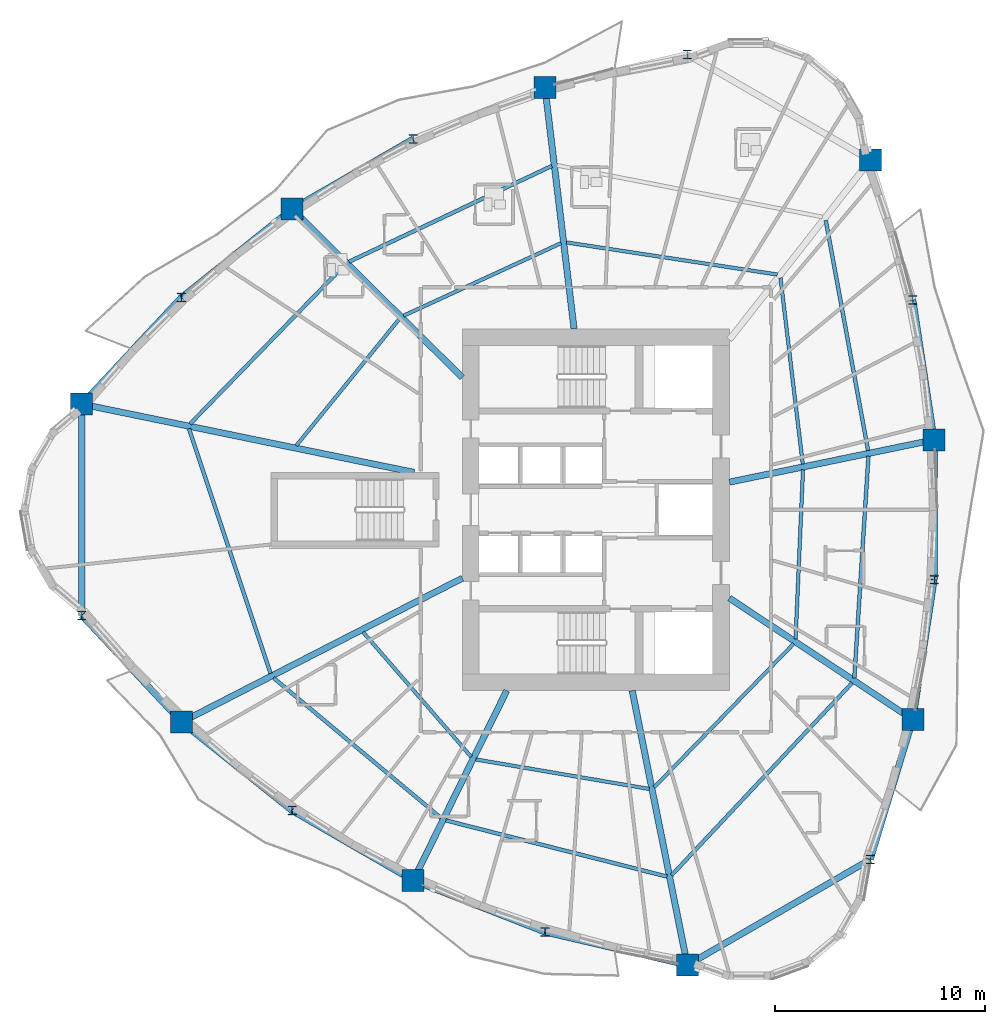
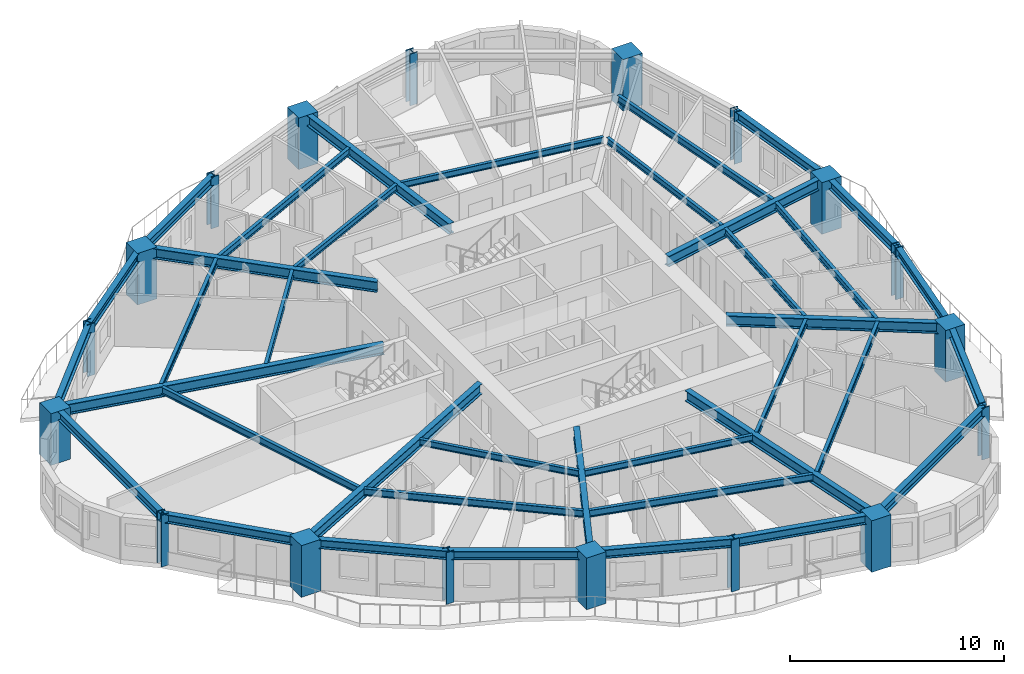
# One storey, part 1 of 14: 38 beams, 18 columns.
"""IFC4 building model written with IfcOpenShell, lengths in metres."""

from ifc_helpers import new_model, si_unit, direction, frame, origin, origin_2d, place, context, subcontext, project, spatial, rectangle, i_section, extrude, source, transform, mapped, material, material_profile, profile_set, type_object, element, save


model = new_model("IFC4")

# Units and contexts
model_context = context("Model", 3, precision=1e-05, world=origin(), true_north=direction((0.0, 1.0)))
body_context = subcontext(model_context, "Body", "Model", "MODEL_VIEW")
ifc_project = project(units=[si_unit("LENGTHUNIT", "METRE"), si_unit("AREAUNIT", "SQUARE_METRE"), si_unit("VOLUMEUNIT", "CUBIC_METRE"), si_unit("PLANEANGLEUNIT", "RADIAN"), si_unit("MASSUNIT", "GRAM", prefix="KILO")], contexts=[model_context])

# Site, building, storey
site_placement = place(None, origin())
site = spatial("IfcSite", under=ifc_project, at=site_placement, CompositionType="ELEMENT")
building_placement = place(site_placement, origin())
building = spatial("IfcBuilding", under=site, at=building_placement, Name="Qafzar Sky-Pleat Residences", CompositionType="ELEMENT")
storey_placement = place(building_placement, frame((0.0, 0.0, 11.0)))
storey = spatial("IfcBuildingStorey", under=building, at=storey_placement, Name="L02", CompositionType="ELEMENT", Elevation=11.0)

# Columns
ifc_material_1 = material(Name="Concrete C60/75", Category="concrete")
ifc_material_profile_1 = material_profile(ifc_material_1, rectangle(XDim=1.050048828125, YDim=1.050048828125, at=origin_2d()), Name="RC 1050x1050")
ifc_profile_set_1 = profile_set([ifc_material_profile_1], Name="Concrete C60/75")
column_type_1 = type_object("IfcColumnType", Name="COL-RC-1050", PredefinedType="COLUMN", material=ifc_profile_set_1)
shared_shape_1 = source(origin(), body_context, "Body", "SweptSolid", [
    extrude(rectangle(XDim=1.050048828125, YDim=1.050048828125, at=origin_2d()), origin(), (0.0, 0.0, 1.0), 2.93994140625),
])
for number, where, z_axis, x_axis, name in (
    (1, (5.89990234375, 31.02294921875, 0.0), (0.0, 0.0, 1.0), (1.0, 0.0, 0.0), "L02 Perimeter Mega Column 1"),
    (2, (10.64892578125, 15.900390625, 0.0), (0.0, 0.0, 1.0), (1.0, 0.0, 0.0), "L02 Perimeter Mega Column 3"),
    (3, (21.66357421875, 8.373779296875, 0.0), (0.0, 0.0, 1.0), (1.0, 0.0, 0.0), "L02 Perimeter Mega Column 5"),
    (4, (34.699951171875, 4.349365234375, 0.0), (0.0, 0.0, 1.0), (1.0, 0.0, 0.0), "L02 Perimeter Mega Column 7"),
    (5, (45.421875, 16.0234375, 0.0), (0.0, 0.0, 1.0), (1.0, 0.0, 0.0), "L02 Perimeter Mega Column 9"),
    (6, (46.432861328125, 29.325439453125, 0.0), (0.0, 0.0, 1.0), (1.0, 0.0, 0.0), "L02 Perimeter Mega Column 11"),
    (7, (43.39990234375, 42.627685546875, 0.0), (0.0, 0.0, 1.0), (1.0, 0.0, 0.0), "L02 Perimeter Mega Column 13"),
    (8, (27.928955078125, 46.076171875, 0.0), (0.0, 0.0, 1.0), (1.0, 0.0, 0.0), "L02 Perimeter Mega Column 15"),
    (9, (15.903564453125, 40.300537109375, 0.0), (0.0, 0.0, 1.0), (1.0, 0.0, 0.0), "L02 Perimeter Mega Column 17"),
):
    element("IfcColumn", number, at=place(storey_placement, frame(where, z_axis=z_axis, x_axis=x_axis)), inside=storey, type_object=column_type_1, Name=name, PredefinedType="COLUMN", context=body_context, shape_type="MappedRepresentation", body=[
        mapped(shared_shape_1, transform((0.0, 0.0, 0.0), x_axis=(1.0, 0.0, 0.0), y_axis=(0.0, 1.0, 0.0), z_axis=(0.0, 0.0, 1.0), scale=1.0)),
    ])
ifc_material_2 = material(Name="Steel S460", Category="steel")
ifc_material_profile_2 = material_profile(ifc_material_2, i_section(OverallWidth=0.408935546875, OverallDepth=0.425048828125, WebThickness=0.030029296875, FlangeThickness=0.048095703125, FilletRadius=0.014892578125, at=origin_2d()), Name="HD 400x421")
ifc_profile_set_2 = profile_set([ifc_material_profile_2], Name="Steel S460")
column_type_2 = type_object("IfcColumnType", Name="COL-STL-HD421", PredefinedType="PILASTER", material=ifc_profile_set_2)
shared_shape_2 = source(origin(), body_context, "Body", "SweptSolid", [
    extrude(i_section(OverallWidth=0.408935546875, OverallDepth=0.425048828125, WebThickness=0.030029296875, FlangeThickness=0.048095703125, FilletRadius=0.014892578125, at=origin_2d()), origin(), (0.0, 0.0, 1.0), 2.93994140625),
])
for number, where, z_axis, x_axis, name in (
    (10, (5.89990234375, 20.97705078125, 0.0), (0.0, 0.0, 1.0), (1.0, 0.0, 0.0), "L02 Perimeter Mega Column 2"),
    (11, (15.903564453125, 11.699462890625, 0.0), (0.0, 0.0, 1.0), (1.0, 0.0, 0.0), "L02 Perimeter Mega Column 4"),
    (12, (27.928955078125, 5.923828125, 0.0), (0.0, 0.0, 1.0), (1.0, 0.0, 0.0), "L02 Perimeter Mega Column 6"),
    (13, (43.39990234375, 9.372314453125, 0.0), (0.0, 0.0, 1.0), (1.0, 0.0, 0.0), "L02 Perimeter Mega Column 8"),
    (14, (46.432861328125, 22.674560546875, 0.0), (0.0, 0.0, 1.0), (1.0, 0.0, 0.0), "L02 Perimeter Mega Column 10"),
    (15, (45.421875, 35.9765625, 0.0), (0.0, 0.0, 1.0), (1.0, 0.0, 0.0), "L02 Perimeter Mega Column 12"),
    (16, (34.699951171875, 47.650634765625, 0.0), (0.0, 0.0, 1.0), (1.0, 0.0, 0.0), "L02 Perimeter Mega Column 14"),
    (17, (21.66357421875, 43.626220703125, 0.0), (0.0, 0.0, 1.0), (1.0, 0.0, 0.0), "L02 Perimeter Mega Column 16"),
    (18, (10.64892578125, 36.099609375, 0.0), (0.0, 0.0, 1.0), (1.0, 0.0, 0.0), "L02 Perimeter Mega Column 18"),
):
    element("IfcColumn", number, at=place(storey_placement, frame(where, z_axis=z_axis, x_axis=x_axis)), inside=storey, type_object=column_type_2, Name=name, PredefinedType="PILASTER", context=body_context, shape_type="MappedRepresentation", body=[
        mapped(shared_shape_2, transform((0.0, 0.0, 0.0), x_axis=(1.0, 0.0, 0.0), y_axis=(0.0, 1.0, 0.0), z_axis=(0.0, 0.0, 1.0), scale=1.0)),
    ])

# Beams
ifc_material_3 = material(Name="Steel S355", Category="steel")
ifc_material_profile_3 = material_profile(ifc_material_3, i_section(OverallWidth=0.300048828125, OverallDepth=0.5, WebThickness=0.014404296875, FlangeThickness=0.028076171875, FilletRadius=0.027099609375, at=origin_2d()), Name="HEB 500")
ifc_profile_set_3 = profile_set([ifc_material_profile_3], Name="Steel S355")
beam_type_1 = type_object("IfcBeamType", Name="BM-SPAN-HEB500", PredefinedType="SPANDREL", material=ifc_profile_set_3)
shared_shape_3 = source(origin(), body_context, "Body", "SweptSolid", [
    extrude(i_section(OverallWidth=0.300048828125, OverallDepth=0.5, WebThickness=0.014404296875, FlangeThickness=0.028076171875, FilletRadius=0.027099609375, at=origin_2d()), origin(), (0.0, 0.0, 1.0), 10.0458984375),
])
for number, where, z_axis, x_axis, name in (
    (19, (5.89990234375, 31.02294921875, 2.68798828125), (0.0, -1.0, 0.0), (1.0, 0.0, 0.0), "L02 Perimeter Spandrel Beam 1"),
    (20, (34.699951171875, 4.349365234375, 2.68798828125), (0.866024107753, 0.500002244785, 0.0), (-0.500002244785, 0.866024107753, 0.0), "L02 Perimeter Spandrel Beam 7"),
):
    element("IfcBeam", number, at=place(storey_placement, frame(where, z_axis=z_axis, x_axis=x_axis)), inside=storey, type_object=beam_type_1, Name=name, PredefinedType="SPANDREL", context=body_context, shape_type="MappedRepresentation", body=[
        mapped(shared_shape_3, transform((0.0, 0.0, 0.0), x_axis=(1.0, 0.0, 0.0), y_axis=(0.0, 1.0, 0.0), z_axis=(0.0, 0.0, 1.0), scale=1.0)),
    ])
shared_shape_4 = source(origin(), body_context, "Body", "SweptSolid", [
    extrude(i_section(OverallWidth=0.300048828125, OverallDepth=0.5, WebThickness=0.014404296875, FlangeThickness=0.028076171875, FilletRadius=0.027099609375, at=origin_2d()), origin(), (0.0, 0.0, 1.0), 6.95166015625),
])
for number, where, z_axis, x_axis, name in (
    (21, (5.89990234375, 20.97705078125, 2.68798828125), (0.683148670375, -0.730279326125, 0.0), (0.730279326125, 0.683148670375, 0.0), "L02 Perimeter Spandrel Beam 2"),
    (22, (27.928955078125, 5.923828125, 2.68798828125), (0.974013973113, -0.226487925024, 0.0), (0.226487925024, 0.974013973113, 0.0), "L02 Perimeter Spandrel Beam 6"),
    (23, (43.39990234375, 9.372314453125, 2.68798828125), (0.290861139852, 0.956765278072, 0.0), (-0.956765278072, 0.290861139852, 0.0), "L02 Perimeter Spandrel Beam 8"),
    (24, (10.64892578125, 36.099609375, 2.68798828125), (-0.683148670375, -0.730279326125, 0.0), (0.730279326125, -0.683148670375, 0.0), "L02 Perimeter Spandrel Beam 18"),
):
    element("IfcBeam", number, at=place(storey_placement, frame(where, z_axis=z_axis, x_axis=x_axis)), inside=storey, type_object=beam_type_1, Name=name, PredefinedType="SPANDREL", context=body_context, shape_type="MappedRepresentation", body=[
        mapped(shared_shape_4, transform((0.0, 0.0, 0.0), x_axis=(1.0, 0.0, 0.0), y_axis=(0.0, 1.0, 0.0), z_axis=(0.0, 0.0, 1.0), scale=1.0)),
    ])
shared_shape_5 = source(origin(), body_context, "Body", "SweptSolid", [
    extrude(i_section(OverallWidth=0.300048828125, OverallDepth=0.5, WebThickness=0.014404296875, FlangeThickness=0.028076171875, FilletRadius=0.027099609375, at=origin_2d()), origin(), (0.0, 0.0, 1.0), 6.7275390625),
])
for number, where, z_axis, x_axis, name in (
    (25, (10.64892578125, 15.900390625, 2.68798828125), (0.781070576736, -0.624442754908, 0.0), (0.624442754908, 0.781070576736, 0.0), "L02 Perimeter Spandrel Beam 3"),
    (26, (45.421875, 16.0234375, 2.68798828125), (0.150276218199, 0.988644050325, 0.0), (-0.988644050325, 0.150276218199, 0.0), "L02 Perimeter Spandrel Beam 9"),
    (27, (46.432861328125, 29.325439453125, 2.68798828125), (-0.150276218199, 0.988644050325, 0.0), (-0.988644050325, -0.150276218199, 0.0), "L02 Perimeter Spandrel Beam 11"),
    (28, (15.903564453125, 40.300537109375, 2.68798828125), (-0.781070576736, -0.624442754908, 0.0), (0.624442754908, -0.781070576736, 0.0), "L02 Perimeter Spandrel Beam 17"),
):
    element("IfcBeam", number, at=place(storey_placement, frame(where, z_axis=z_axis, x_axis=x_axis)), inside=storey, type_object=beam_type_1, Name=name, PredefinedType="SPANDREL", context=body_context, shape_type="MappedRepresentation", body=[
        mapped(shared_shape_5, transform((0.0, 0.0, 0.0), x_axis=(1.0, 0.0, 0.0), y_axis=(0.0, 1.0, 0.0), z_axis=(0.0, 0.0, 1.0), scale=1.0)),
    ])
shared_shape_6 = source(origin(), body_context, "Body", "SweptSolid", [
    extrude(i_section(OverallWidth=0.300048828125, OverallDepth=0.5, WebThickness=0.014404296875, FlangeThickness=0.028076171875, FilletRadius=0.027099609375, at=origin_2d()), origin(), (0.0, 0.0, 1.0), 6.651123046875),
])
for number, where, z_axis, x_axis, name in (
    (29, (15.903564453125, 11.699462890625, 2.68798828125), (0.866016262799, -0.500015832317, 0.0), (0.500015832317, 0.866016262799, 0.0), "L02 Perimeter Spandrel Beam 4"),
    (30, (21.66357421875, 43.626220703125, 2.68798828125), (-0.866016262799, -0.500015832317, 0.0), (0.500015832317, -0.866016262799, 0.0), "L02 Perimeter Spandrel Beam 16"),
):
    element("IfcBeam", number, at=place(storey_placement, frame(where, z_axis=z_axis, x_axis=x_axis)), inside=storey, type_object=beam_type_1, Name=name, PredefinedType="SPANDREL", context=body_context, shape_type="MappedRepresentation", body=[
        mapped(shared_shape_6, transform((0.0, 0.0, 0.0), x_axis=(1.0, 0.0, 0.0), y_axis=(0.0, 1.0, 0.0), z_axis=(0.0, 0.0, 1.0), scale=1.0)),
    ])
shared_shape_7 = source(origin(), body_context, "Body", "SweptSolid", [
    extrude(i_section(OverallWidth=0.300048828125, OverallDepth=0.5, WebThickness=0.014404296875, FlangeThickness=0.028076171875, FilletRadius=0.027099609375, at=origin_2d()), origin(), (0.0, 0.0, 1.0), 6.727294921875),
])
beam_1_placement = place(storey_placement, frame((21.66357421875, 8.373779296875, 2.68798828125), z_axis=(0.931329494162, -0.364177667222, 0.0), x_axis=(0.364177667222, 0.931329494162, 0.0)))
element("IfcBeam", 31, at=beam_1_placement, inside=storey, type_object=beam_type_1, Name="L02 Perimeter Spandrel Beam 5", PredefinedType="SPANDREL", context=body_context, shape_type="MappedRepresentation", body=[
    mapped(shared_shape_7, transform((0.0, 0.0, 0.0), x_axis=(1.0, 0.0, 0.0), y_axis=(0.0, 1.0, 0.0), z_axis=(0.0, 0.0, 1.0), scale=1.0)),
])
shared_shape_8 = source(origin(), body_context, "Body", "SweptSolid", [
    extrude(i_section(OverallWidth=0.300048828125, OverallDepth=0.5, WebThickness=0.014404296875, FlangeThickness=0.028076171875, FilletRadius=0.027099609375, at=origin_2d()), origin(), (0.0, 0.0, 1.0), 6.65087890625),
])
beam_2_placement = place(storey_placement, frame((46.432861328125, 22.674560546875, 2.68798828125), z_axis=(0.0, 1.0, 0.0), x_axis=(-1.0, 0.0, 0.0)))
element("IfcBeam", 32, at=beam_2_placement, inside=storey, type_object=beam_type_1, Name="L02 Perimeter Spandrel Beam 10", PredefinedType="SPANDREL", context=body_context, shape_type="MappedRepresentation", body=[
    mapped(shared_shape_8, transform((0.0, 0.0, 0.0), x_axis=(1.0, 0.0, 0.0), y_axis=(0.0, 1.0, 0.0), z_axis=(0.0, 0.0, 1.0), scale=1.0)),
])
ifc_material_profile_4 = material_profile(ifc_material_3, i_section(OverallWidth=0.300048828125, OverallDepth=0.60009765625, WebThickness=0.015380859375, FlangeThickness=0.030029296875, FilletRadius=0.027099609375, at=origin_2d()), Name="HEB 600")
ifc_profile_set_4 = profile_set([ifc_material_profile_4], Name="Steel S355")
beam_type_2 = type_object("IfcBeamType", Name="BM-GIRD-HEB600", PredefinedType="BEAM", material=ifc_profile_set_4)
shared_shape_9 = source(origin(), body_context, "Body", "SweptSolid", [
    extrude(i_section(OverallWidth=0.300048828125, OverallDepth=0.60009765625, WebThickness=0.015380859375, FlangeThickness=0.030029296875, FilletRadius=0.027099609375, at=origin_2d()), origin(), (0.0, 0.0, 1.0), 16.139892578125),
])
beam_3_placement = place(storey_placement, frame((5.89990234375, 31.02294921875, 2.637939453125), z_axis=(0.9795415771, -0.201241891097, 0.0), x_axis=(0.201241891097, 0.9795415771, 0.0)))
element("IfcBeam", 33, at=beam_3_placement, inside=storey, type_object=beam_type_2, Name="L02 Radial Floor Girder 1", PredefinedType="BEAM", context=body_context, shape_type="MappedRepresentation", body=[
    mapped(shared_shape_9, transform((0.0, 0.0, 0.0), x_axis=(1.0, 0.0, 0.0), y_axis=(0.0, 1.0, 0.0), z_axis=(0.0, 0.0, 1.0), scale=1.0)),
])
shared_shape_10 = source(origin(), body_context, "Body", "SweptSolid", [
    extrude(i_section(OverallWidth=0.300048828125, OverallDepth=0.60009765625, WebThickness=0.015380859375, FlangeThickness=0.030029296875, FilletRadius=0.027099609375, at=origin_2d()), origin(), (0.0, 0.0, 1.0), 15.003173828125),
])
beam_4_placement = place(storey_placement, frame((10.64892578125, 15.900390625, 2.637939453125), z_axis=(0.889884204049, 0.456186478739, 0.0), x_axis=(-0.456186478739, 0.889884204049, 0.0)))
element("IfcBeam", 34, at=beam_4_placement, inside=storey, type_object=beam_type_2, Name="L02 Radial Floor Girder 3", PredefinedType="BEAM", context=body_context, shape_type="MappedRepresentation", body=[
    mapped(shared_shape_10, transform((0.0, 0.0, 0.0), x_axis=(1.0, 0.0, 0.0), y_axis=(0.0, 1.0, 0.0), z_axis=(0.0, 0.0, 1.0), scale=1.0)),
])
shared_shape_11 = source(origin(), body_context, "Body", "SweptSolid", [
    extrude(i_section(OverallWidth=0.300048828125, OverallDepth=0.60009765625, WebThickness=0.015380859375, FlangeThickness=0.030029296875, FilletRadius=0.027099609375, at=origin_2d()), origin(), (0.0, 0.0, 1.0), 10.062744140625),
])
beam_5_placement = place(storey_placement, frame((21.66357421875, 8.373779296875, 2.637939453125), z_axis=(0.442052932292, 0.896988965959, 0.0), x_axis=(-0.896988965959, 0.442052932292, 0.0)))
element("IfcBeam", 35, at=beam_5_placement, inside=storey, type_object=beam_type_2, Name="L02 Radial Floor Girder 5", PredefinedType="BEAM", context=body_context, shape_type="MappedRepresentation", body=[
    mapped(shared_shape_11, transform((0.0, 0.0, 0.0), x_axis=(1.0, 0.0, 0.0), y_axis=(0.0, 1.0, 0.0), z_axis=(0.0, 0.0, 1.0), scale=1.0)),
])
shared_shape_12 = source(origin(), body_context, "Body", "SweptSolid", [
    extrude(i_section(OverallWidth=0.300048828125, OverallDepth=0.60009765625, WebThickness=0.015380859375, FlangeThickness=0.030029296875, FilletRadius=0.027099609375, at=origin_2d()), origin(), (0.0, 0.0, 1.0), 13.311279296875),
])
beam_6_placement = place(storey_placement, frame((34.699951171875, 4.349365234375, 2.637939453125), z_axis=(-0.196980192836, 0.980407468163, 0.0), x_axis=(-0.980407468163, -0.196980192836, 0.0)))
element("IfcBeam", 36, at=beam_6_placement, inside=storey, type_object=beam_type_2, Name="L02 Radial Floor Girder 7", PredefinedType="BEAM", context=body_context, shape_type="MappedRepresentation", body=[
    mapped(shared_shape_12, transform((0.0, 0.0, 0.0), x_axis=(1.0, 0.0, 0.0), y_axis=(0.0, 1.0, 0.0), z_axis=(0.0, 0.0, 1.0), scale=1.0)),
])
shared_shape_13 = source(origin(), body_context, "Body", "SweptSolid", [
    extrude(i_section(OverallWidth=0.300048828125, OverallDepth=0.60009765625, WebThickness=0.015380859375, FlangeThickness=0.030029296875, FilletRadius=0.027099609375, at=origin_2d()), origin(), (0.0, 0.0, 1.0), 10.45947265625),
])
beam_7_placement = place(storey_placement, frame((45.421875, 16.0234375, 2.637939453125), z_axis=(-0.833873592866, 0.551955461175, 0.0), x_axis=(-0.551955461175, -0.833873592866, 0.0)))
element("IfcBeam", 37, at=beam_7_placement, inside=storey, type_object=beam_type_2, Name="L02 Radial Floor Girder 9", PredefinedType="BEAM", context=body_context, shape_type="MappedRepresentation", body=[
    mapped(shared_shape_13, transform((0.0, 0.0, 0.0), x_axis=(1.0, 0.0, 0.0), y_axis=(0.0, 1.0, 0.0), z_axis=(0.0, 0.0, 1.0), scale=1.0)),
])
shared_shape_14 = source(origin(), body_context, "Body", "SweptSolid", [
    extrude(i_section(OverallWidth=0.300048828125, OverallDepth=0.60009765625, WebThickness=0.015380859375, FlangeThickness=0.030029296875, FilletRadius=0.027099609375, at=origin_2d()), origin(), (0.0, 0.0, 1.0), 9.938720703125),
])
beam_8_placement = place(storey_placement, frame((46.432861328125, 29.325439453125, 2.637939453125), z_axis=(-0.979285452618, -0.202484572968, 0.0), x_axis=(0.202484572968, -0.979285452618, 0.0)))
element("IfcBeam", 38, at=beam_8_placement, inside=storey, type_object=beam_type_2, Name="L02 Radial Floor Girder 11", PredefinedType="BEAM", context=body_context, shape_type="MappedRepresentation", body=[
    mapped(shared_shape_14, transform((0.0, 0.0, 0.0), x_axis=(1.0, 0.0, 0.0), y_axis=(0.0, 1.0, 0.0), z_axis=(0.0, 0.0, 1.0), scale=1.0)),
])
shared_shape_15 = source(origin(), body_context, "Body", "SweptSolid", [
    extrude(i_section(OverallWidth=0.300048828125, OverallDepth=0.60009765625, WebThickness=0.015380859375, FlangeThickness=0.030029296875, FilletRadius=0.027099609375, at=origin_2d()), origin(), (0.0, 0.0, 1.0), 11.559326171875),
])
beam_9_placement = place(storey_placement, frame((27.928955078125, 46.076171875, 2.637939453125), z_axis=(0.119734017919, -0.992806005699, 0.0), x_axis=(0.992806005699, 0.119734017919, 0.0)))
element("IfcBeam", 39, at=beam_9_placement, inside=storey, type_object=beam_type_2, Name="L02 Radial Floor Girder 15", PredefinedType="BEAM", context=body_context, shape_type="MappedRepresentation", body=[
    mapped(shared_shape_15, transform((0.0, 0.0, 0.0), x_axis=(1.0, 0.0, 0.0), y_axis=(0.0, 1.0, 0.0), z_axis=(0.0, 0.0, 1.0), scale=1.0)),
])
shared_shape_16 = source(origin(), body_context, "Body", "SweptSolid", [
    extrude(i_section(OverallWidth=0.300048828125, OverallDepth=0.60009765625, WebThickness=0.015380859375, FlangeThickness=0.030029296875, FilletRadius=0.027099609375, at=origin_2d()), origin(), (0.0, 0.0, 1.0), 11.392333984375),
])
beam_10_placement = place(storey_placement, frame((15.903564453125, 40.300537109375, 2.637939453125), z_axis=(0.71068721601, -0.703508124331, 0.0), x_axis=(0.703508124331, 0.71068721601, 0.0)))
element("IfcBeam", 40, at=beam_10_placement, inside=storey, type_object=beam_type_2, Name="L02 Radial Floor Girder 17", PredefinedType="BEAM", context=body_context, shape_type="MappedRepresentation", body=[
    mapped(shared_shape_16, transform((0.0, 0.0, 0.0), x_axis=(1.0, 0.0, 0.0), y_axis=(0.0, 1.0, 0.0), z_axis=(0.0, 0.0, 1.0), scale=1.0)),
])
ifc_material_profile_5 = material_profile(ifc_material_3, i_section(OverallWidth=0.179931640625, OverallDepth=0.39990234375, WebThickness=0.008544921875, FlangeThickness=0.013427734375, FilletRadius=0.02099609375, at=origin_2d()), Name="IPE 400")
ifc_profile_set_5 = profile_set([ifc_material_profile_5], Name="Steel S355")
beam_type_3 = type_object("IfcBeamType", Name="BM-JST-IPE400", PredefinedType="JOIST", material=ifc_profile_set_5)
shared_shape_17 = source(origin(), body_context, "Body", "SweptSolid", [
    extrude(i_section(OverallWidth=0.179931640625, OverallDepth=0.39990234375, WebThickness=0.008544921875, FlangeThickness=0.013427734375, FilletRadius=0.02099609375, at=origin_2d()), origin(), (0.0, 0.0, 1.0), 12.265625),
])
beam_11_placement = place(storey_placement, frame((11.001708984375, 29.85546875, 2.738037109375), z_axis=(0.31608444956, -0.948731058175, 0.0), x_axis=(0.948731058175, 0.31608444956, 0.0)))
element("IfcBeam", 41, at=beam_11_placement, inside=storey, type_object=beam_type_3, Name="L02 Outer Secondary Floor Joist 1", PredefinedType="JOIST", context=body_context, shape_type="MappedRepresentation", body=[
    mapped(shared_shape_17, transform((0.0, 0.0, 0.0), x_axis=(1.0, 0.0, 0.0), y_axis=(0.0, 1.0, 0.0), z_axis=(0.0, 0.0, 1.0), scale=1.0)),
])
shared_shape_18 = source(origin(), body_context, "Body", "SweptSolid", [
    extrude(i_section(OverallWidth=0.179931640625, OverallDepth=0.39990234375, WebThickness=0.008544921875, FlangeThickness=0.013427734375, FilletRadius=0.02099609375, at=origin_2d()), origin(), (0.0, 0.0, 1.0), 10.374267578125),
])
beam_12_placement = place(storey_placement, frame((15.02490234375, 18.00390625, 2.738037109375), z_axis=(0.767132246314, -0.641488984056, 0.0), x_axis=(0.641488984056, 0.767132246314, 0.0)))
element("IfcBeam", 42, at=beam_12_placement, inside=storey, type_object=beam_type_3, Name="L02 Outer Secondary Floor Joist 2", PredefinedType="JOIST", context=body_context, shape_type="MappedRepresentation", body=[
    mapped(shared_shape_18, transform((0.0, 0.0, 0.0), x_axis=(1.0, 0.0, 0.0), y_axis=(0.0, 1.0, 0.0), z_axis=(0.0, 0.0, 1.0), scale=1.0)),
])
shared_shape_19 = source(origin(), body_context, "Body", "SweptSolid", [
    extrude(i_section(OverallWidth=0.179931640625, OverallDepth=0.39990234375, WebThickness=0.008544921875, FlangeThickness=0.013427734375, FilletRadius=0.02099609375, at=origin_2d()), origin(), (0.0, 0.0, 1.0), 10.845703125),
])
beam_13_placement = place(storey_placement, frame((23.218017578125, 11.22900390625, 2.738037109375), z_axis=(0.969220624177, -0.246193788853, 0.0), x_axis=(0.246193788853, 0.969220624177, 0.0)))
element("IfcBeam", 43, at=beam_13_placement, inside=storey, type_object=beam_type_3, Name="L02 Outer Secondary Floor Joist 3", PredefinedType="JOIST", context=body_context, shape_type="MappedRepresentation", body=[
    mapped(shared_shape_19, transform((0.0, 0.0, 0.0), x_axis=(1.0, 0.0, 0.0), y_axis=(0.0, 1.0, 0.0), z_axis=(0.0, 0.0, 1.0), scale=1.0)),
])
shared_shape_20 = source(origin(), body_context, "Body", "SweptSolid", [
    extrude(i_section(OverallWidth=0.179931640625, OverallDepth=0.39990234375, WebThickness=0.008544921875, FlangeThickness=0.013427734375, FilletRadius=0.02099609375, at=origin_2d()), origin(), (0.0, 0.0, 1.0), 12.5458984375),
])
beam_14_placement = place(storey_placement, frame((33.953369140625, 8.6240234375, 2.738037109375), z_axis=(0.684303538681, 0.729197275742, 0.0), x_axis=(-0.729197275742, 0.684303538681, 0.0)))
element("IfcBeam", 44, at=beam_14_placement, inside=storey, type_object=beam_type_3, Name="L02 Outer Secondary Floor Joist 4", PredefinedType="JOIST", context=body_context, shape_type="MappedRepresentation", body=[
    mapped(shared_shape_20, transform((0.0, 0.0, 0.0), x_axis=(1.0, 0.0, 0.0), y_axis=(0.0, 1.0, 0.0), z_axis=(0.0, 0.0, 1.0), scale=1.0)),
])
shared_shape_21 = source(origin(), body_context, "Body", "SweptSolid", [
    extrude(i_section(OverallWidth=0.179931640625, OverallDepth=0.39990234375, WebThickness=0.008544921875, FlangeThickness=0.013427734375, FilletRadius=0.02099609375, at=origin_2d()), origin(), (0.0, 0.0, 1.0), 10.5625),
])
beam_15_placement = place(storey_placement, frame((42.639404296875, 18.005615234375, 2.738037109375), z_axis=(0.063470442406, 0.997983718775, 0.0), x_axis=(-0.997983718775, 0.063470442406, 0.0)))
element("IfcBeam", 45, at=beam_15_placement, inside=storey, type_object=beam_type_3, Name="L02 Outer Secondary Floor Joist 5", PredefinedType="JOIST", context=body_context, shape_type="MappedRepresentation", body=[
    mapped(shared_shape_21, transform((0.0, 0.0, 0.0), x_axis=(1.0, 0.0, 0.0), y_axis=(0.0, 1.0, 0.0), z_axis=(0.0, 0.0, 1.0), scale=1.0)),
])
shared_shape_22 = source(origin(), body_context, "Body", "SweptSolid", [
    extrude(i_section(OverallWidth=0.179931640625, OverallDepth=0.39990234375, WebThickness=0.008544921875, FlangeThickness=0.013427734375, FilletRadius=0.02099609375, at=origin_2d()), origin(), (0.0, 0.0, 1.0), 11.132568359375),
])
beam_16_placement = place(storey_placement, frame((43.2939453125, 28.814208984375, 2.738037109375), z_axis=(-0.180859333008, 0.98350897386, 0.0), x_axis=(-0.98350897386, -0.180859333008, 0.0)))
element("IfcBeam", 46, at=beam_16_placement, inside=storey, type_object=beam_type_3, Name="L02 Outer Secondary Floor Joist 6", PredefinedType="JOIST", context=body_context, shape_type="MappedRepresentation", body=[
    mapped(shared_shape_22, transform((0.0, 0.0, 0.0), x_axis=(1.0, 0.0, 0.0), y_axis=(0.0, 1.0, 0.0), z_axis=(0.0, 0.0, 1.0), scale=1.0)),
])
shared_shape_23 = source(origin(), body_context, "Body", "SweptSolid", [
    extrude(i_section(OverallWidth=0.179931640625, OverallDepth=0.39990234375, WebThickness=0.008544921875, FlangeThickness=0.013427734375, FilletRadius=0.02099609375, at=origin_2d()), origin(), (0.0, 0.0, 1.0), 10.65478515625),
])
beam_17_placement = place(storey_placement, frame((28.249755859375, 42.34619140625, 2.738037109375), z_axis=(-0.904124253409, -0.427269627282, 0.0), x_axis=(0.427269627282, -0.904124253409, 0.0)))
element("IfcBeam", 47, at=beam_17_placement, inside=storey, type_object=beam_type_3, Name="L02 Outer Secondary Floor Joist 8", PredefinedType="JOIST", context=body_context, shape_type="MappedRepresentation", body=[
    mapped(shared_shape_23, transform((0.0, 0.0, 0.0), x_axis=(1.0, 0.0, 0.0), y_axis=(0.0, 1.0, 0.0), z_axis=(0.0, 0.0, 1.0), scale=1.0)),
])
shared_shape_24 = source(origin(), body_context, "Body", "SweptSolid", [
    extrude(i_section(OverallWidth=0.179931640625, OverallDepth=0.39990234375, WebThickness=0.008544921875, FlangeThickness=0.013427734375, FilletRadius=0.02099609375, at=origin_2d()), origin(), (0.0, 0.0, 1.0), 10.541259765625),
])
beam_18_placement = place(storey_placement, frame((18.400390625, 37.63916015625, 2.738037109375), z_axis=(-0.696995374234, -0.717075622439, 0.0), x_axis=(0.717075622439, -0.696995374234, 0.0)))
element("IfcBeam", 48, at=beam_18_placement, inside=storey, type_object=beam_type_3, Name="L02 Outer Secondary Floor Joist 9", PredefinedType="JOIST", context=body_context, shape_type="MappedRepresentation", body=[
    mapped(shared_shape_24, transform((0.0, 0.0, 0.0), x_axis=(1.0, 0.0, 0.0), y_axis=(0.0, 1.0, 0.0), z_axis=(0.0, 0.0, 1.0), scale=1.0)),
])
ifc_material_profile_6 = material_profile(ifc_material_3, i_section(OverallWidth=0.169921875, OverallDepth=0.360107421875, WebThickness=0.008056640625, FlangeThickness=0.0126953125, FilletRadius=0.01806640625, at=origin_2d()), Name="IPE 360")
ifc_profile_set_6 = profile_set([ifc_material_profile_6], Name="Steel S355")
beam_type_4 = type_object("IfcBeamType", Name="BM-JST-IPE360", PredefinedType="JOIST", material=ifc_profile_set_6)
shared_shape_25 = source(origin(), body_context, "Body", "SweptSolid", [
    extrude(i_section(OverallWidth=0.169921875, OverallDepth=0.360107421875, WebThickness=0.008056640625, FlangeThickness=0.0126953125, FilletRadius=0.01806640625, at=origin_2d()), origin(), (0.0, 0.0, 1.0), 7.8447265625),
])
beam_19_placement = place(storey_placement, frame((19.281982421875, 20.1787109375, 2.758056640625), z_axis=(0.655239727484, -0.755421008132, 0.0), x_axis=(0.755421008132, 0.655239727484, 0.0)))
element("IfcBeam", 49, at=beam_19_placement, inside=storey, type_object=beam_type_4, Name="L02 Inner Secondary Floor Joist 2", PredefinedType="JOIST", context=body_context, shape_type="MappedRepresentation", body=[
    mapped(shared_shape_25, transform((0.0, 0.0, 0.0), x_axis=(1.0, 0.0, 0.0), y_axis=(0.0, 1.0, 0.0), z_axis=(0.0, 0.0, 1.0), scale=1.0)),
])
shared_shape_26 = source(origin(), body_context, "Body", "SweptSolid", [
    extrude(i_section(OverallWidth=0.169921875, OverallDepth=0.360107421875, WebThickness=0.008056640625, FlangeThickness=0.0126953125, FilletRadius=0.01806640625, at=origin_2d()), origin(), (0.0, 0.0, 1.0), 8.364013671875),
])
beam_20_placement = place(storey_placement, frame((24.6435546875, 14.1279296875, 2.758056640625), z_axis=(0.985819217753, -0.167810815825, 0.0), x_axis=(0.167810815825, 0.985819217753, 0.0)))
element("IfcBeam", 50, at=beam_20_placement, inside=storey, type_object=beam_type_4, Name="L02 Inner Secondary Floor Joist 3", PredefinedType="JOIST", context=body_context, shape_type="MappedRepresentation", body=[
    mapped(shared_shape_26, transform((0.0, 0.0, 0.0), x_axis=(1.0, 0.0, 0.0), y_axis=(0.0, 1.0, 0.0), z_axis=(0.0, 0.0, 1.0), scale=1.0)),
])
shared_shape_27 = source(origin(), body_context, "Body", "SweptSolid", [
    extrude(i_section(OverallWidth=0.169921875, OverallDepth=0.360107421875, WebThickness=0.008056640625, FlangeThickness=0.0126953125, FilletRadius=0.01806640625, at=origin_2d()), origin(), (0.0, 0.0, 1.0), 9.513671875),
])
beam_21_placement = place(storey_placement, frame((33.115966796875, 12.798583984375, 2.758056640625), z_axis=(0.696884511326, 0.717183364193, 0.0), x_axis=(-0.717183364193, 0.696884511326, 0.0)))
element("IfcBeam", 51, at=beam_21_placement, inside=storey, type_object=beam_type_4, Name="L02 Inner Secondary Floor Joist 4", PredefinedType="JOIST", context=body_context, shape_type="MappedRepresentation", body=[
    mapped(shared_shape_27, transform((0.0, 0.0, 0.0), x_axis=(1.0, 0.0, 0.0), y_axis=(0.0, 1.0, 0.0), z_axis=(0.0, 0.0, 1.0), scale=1.0)),
])
shared_shape_28 = source(origin(), body_context, "Body", "SweptSolid", [
    extrude(i_section(OverallWidth=0.169921875, OverallDepth=0.360107421875, WebThickness=0.008056640625, FlangeThickness=0.0126953125, FilletRadius=0.01806640625, at=origin_2d()), origin(), (0.0, 0.0, 1.0), 8.05712890625),
])
beam_22_placement = place(storey_placement, frame((39.845703125, 19.853271484375, 2.758056640625), z_axis=(0.043725201972, 0.999043596002, 0.0), x_axis=(-0.999043596002, 0.043725201972, 0.0)))
element("IfcBeam", 52, at=beam_22_placement, inside=storey, type_object=beam_type_4, Name="L02 Inner Secondary Floor Joist 5", PredefinedType="JOIST", context=body_context, shape_type="MappedRepresentation", body=[
    mapped(shared_shape_28, transform((0.0, 0.0, 0.0), x_axis=(1.0, 0.0, 0.0), y_axis=(0.0, 1.0, 0.0), z_axis=(0.0, 0.0, 1.0), scale=1.0)),
])
shared_shape_29 = source(origin(), body_context, "Body", "SweptSolid", [
    extrude(i_section(OverallWidth=0.169921875, OverallDepth=0.360107421875, WebThickness=0.008056640625, FlangeThickness=0.0126953125, FilletRadius=0.01806640625, at=origin_2d()), origin(), (0.0, 0.0, 1.0), 8.921875),
])
beam_23_placement = place(storey_placement, frame((40.187744140625, 28.17138671875, 2.758056640625), z_axis=(-0.118789129657, 0.99291950463, 0.0), x_axis=(-0.99291950463, -0.118789129657, 0.0)))
element("IfcBeam", 53, at=beam_23_placement, inside=storey, type_object=beam_type_4, Name="L02 Inner Secondary Floor Joist 6", PredefinedType="JOIST", context=body_context, shape_type="MappedRepresentation", body=[
    mapped(shared_shape_29, transform((0.0, 0.0, 0.0), x_axis=(1.0, 0.0, 0.0), y_axis=(0.0, 1.0, 0.0), z_axis=(0.0, 0.0, 1.0), scale=1.0)),
])
shared_shape_30 = source(origin(), body_context, "Body", "SweptSolid", [
    extrude(i_section(OverallWidth=0.169921875, OverallDepth=0.360107421875, WebThickness=0.008056640625, FlangeThickness=0.0126953125, FilletRadius=0.01806640625, at=origin_2d()), origin(), (0.0, 0.0, 1.0), 10.145751953125),
])
beam_24_placement = place(storey_placement, frame((38.978515625, 37.1845703125, 2.758056640625), z_axis=(-0.988614946875, 0.150467560676, 0.0), x_axis=(-0.150467560676, -0.988614946875, 0.0)))
element("IfcBeam", 54, at=beam_24_placement, inside=storey, type_object=beam_type_4, Name="L02 Inner Secondary Floor Joist 7", PredefinedType="JOIST", context=body_context, shape_type="MappedRepresentation", body=[
    mapped(shared_shape_30, transform((0.0, 0.0, 0.0), x_axis=(1.0, 0.0, 0.0), y_axis=(0.0, 1.0, 0.0), z_axis=(0.0, 0.0, 1.0), scale=1.0)),
])
shared_shape_31 = source(origin(), body_context, "Body", "SweptSolid", [
    extrude(i_section(OverallWidth=0.169921875, OverallDepth=0.360107421875, WebThickness=0.008056640625, FlangeThickness=0.0126953125, FilletRadius=0.01806640625, at=origin_2d()), origin(), (0.0, 0.0, 1.0), 8.23974609375),
])
beam_25_placement = place(storey_placement, frame((28.692138671875, 38.6748046875, 2.758056640625), z_axis=(-0.908291238387, -0.418338411182, 0.0), x_axis=(0.418338411182, -0.908291238387, 0.0)))
element("IfcBeam", 55, at=beam_25_placement, inside=storey, type_object=beam_type_4, Name="L02 Inner Secondary Floor Joist 8", PredefinedType="JOIST", context=body_context, shape_type="MappedRepresentation", body=[
    mapped(shared_shape_31, transform((0.0, 0.0, 0.0), x_axis=(1.0, 0.0, 0.0), y_axis=(0.0, 1.0, 0.0), z_axis=(0.0, 0.0, 1.0), scale=1.0)),
])
shared_shape_32 = source(origin(), body_context, "Body", "SweptSolid", [
    extrude(i_section(OverallWidth=0.169921875, OverallDepth=0.360107421875, WebThickness=0.008056640625, FlangeThickness=0.0126953125, FilletRadius=0.01806640625, at=origin_2d()), origin(), (0.0, 0.0, 1.0), 7.7578125),
])
beam_26_placement = place(storey_placement, frame((21.0, 35.06640625, 2.758056640625), z_axis=(-0.63116706176, -0.775646917192, 0.0), x_axis=(0.775646917192, -0.63116706176, 0.0)))
element("IfcBeam", 56, at=beam_26_placement, inside=storey, type_object=beam_type_4, Name="L02 Inner Secondary Floor Joist 9", PredefinedType="JOIST", context=body_context, shape_type="MappedRepresentation", body=[
    mapped(shared_shape_32, transform((0.0, 0.0, 0.0), x_axis=(1.0, 0.0, 0.0), y_axis=(0.0, 1.0, 0.0), z_axis=(0.0, 0.0, 1.0), scale=1.0)),
])

save(model, "model.ifc")
